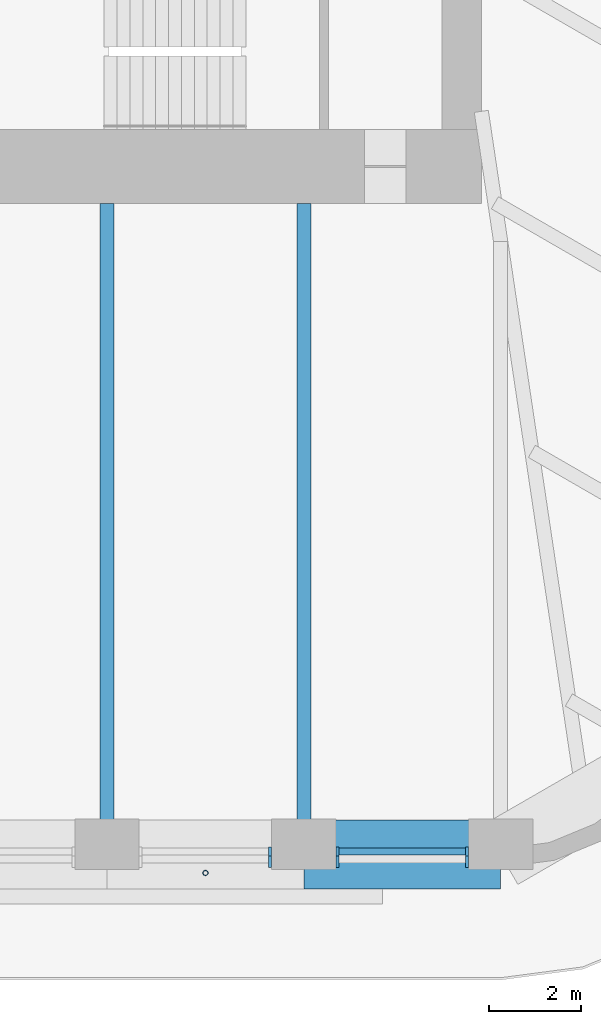
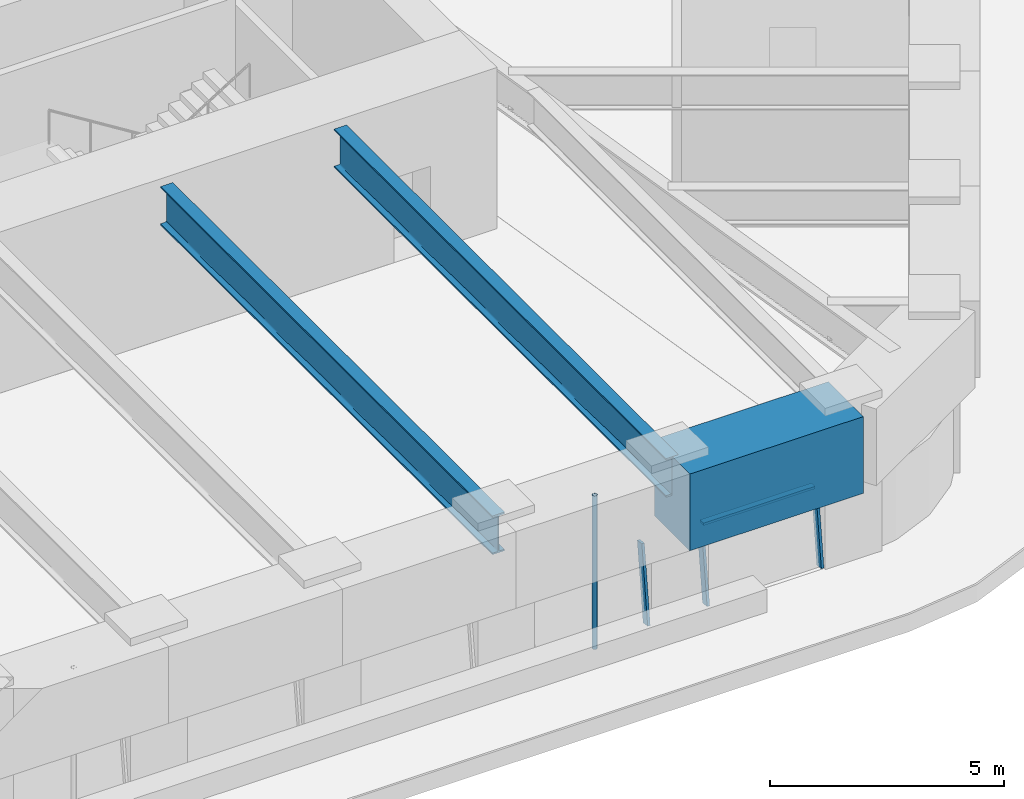
# One storey, part 4 of 18: 5 members, 3 beams, 2 elements without a shape of their own.
"""IFC4 building model written with IfcOpenShell, lengths in metres."""

from ifc_helpers import new_model, si_unit, direction, frame, origin, origin_2d, place, context, subcontext, project, spatial, rectangle, hollow_circle, i_section, extrude, material, material_profile, profile_set, type_object, element, aggregate, save


model = new_model("IFC4")

# Units and contexts
model_context = context("Model", 3, precision=1e-05, world=origin(), true_north=direction((0.0, 1.0)))
body_context = subcontext(model_context, "Body", "Model", "MODEL_VIEW")
ifc_project = project(units=[si_unit("LENGTHUNIT", "METRE"), si_unit("AREAUNIT", "SQUARE_METRE"), si_unit("VOLUMEUNIT", "CUBIC_METRE"), si_unit("PLANEANGLEUNIT", "RADIAN"), si_unit("MASSUNIT", "GRAM", prefix="KILO")], contexts=[model_context])

# Site, building, storey
site_placement = place(None, origin())
site = spatial("IfcSite", under=ifc_project, at=site_placement, CompositionType="ELEMENT")
building_placement = place(site_placement, origin())
building = spatial("IfcBuilding", under=site, at=building_placement, Name="Tarfa Lantern Tower", CompositionType="ELEMENT")
storey_placement = place(building_placement, frame((0.0, 0.0, 319.89990234375)))
storey = spatial("IfcBuildingStorey", under=building, at=storey_placement, Name="L72", CompositionType="ELEMENT", Elevation=319.89990234375)

# Curtain wall, member
ifc_material_1 = material(Name="Aluminium framed curtain wall", Category="aluminium")
curtain_wall_type = type_object("IfcCurtainWallType", Name="CW4 CANTED GLAZING EXECUTIVE ZONE 2000", PredefinedType="USERDEFINED", material=ifc_material_1)
curtain_wall_1_placement = place(storey_placement, origin())
curtain_wall_1 = element("IfcCurtainWall", 1, at=curtain_wall_1_placement, inside=storey, type_object=curtain_wall_type, Name="CW4 S L72", ObjectType="CURTAIN WALL", PredefinedType="USERDEFINED")
ifc_material_2 = material(Name="Aluminium mullion", Category="aluminium")
ifc_material_profile_1 = material_profile(ifc_material_2, rectangle(XDim=0.06494140625, YDim=0.199951171875, at=origin_2d()), Name="AL MULLION 65x200")
ifc_profile_set_1 = profile_set([ifc_material_profile_1], Name="Aluminium mullion")
member_type_1 = type_object("IfcMemberType", Name="CWM1 MULLION 65x200", PredefinedType="MULLION", material=ifc_profile_set_1)
member_1_placement = place(storey_placement, frame((7.83154296875, -26.64990234375, 0.0), z_axis=(0.0, 0.124034734589, 0.992277876714), x_axis=(-1.0, 0.0, 0.0)))
member_1 = element("IfcMember", 2, at=member_1_placement, type_object=member_type_1, Name="CW4 mullion 2", PredefinedType="MULLION", context=body_context, shape_type="SweptSolid", body=[
    extrude(rectangle(XDim=0.06494140625, YDim=0.199951171875, at=origin_2d()), origin(), (0.0, 0.0, 1.0), 2.015625),
])
aggregate(curtain_wall_1, [member_1])

# Curtain wall, members
curtain_wall_2_placement = place(storey_placement, origin())
curtain_wall_2 = element("IfcCurtainWall", 3, at=curtain_wall_2_placement, inside=storey, type_object=curtain_wall_type, Name="CW4 S L72", ObjectType="CURTAIN WALL", PredefinedType="USERDEFINED")
member_2_placement = place(storey_placement, frame((9.296630859375, -26.64990234375, 0.0), z_axis=(0.0, 0.124034734589, 0.992277876714), x_axis=(-1.0, 0.0, 0.0)))
member_2 = element("IfcMember", 4, at=member_2_placement, type_object=member_type_1, Name="CW4 mullion 1", PredefinedType="MULLION", context=body_context, shape_type="SweptSolid", body=[
    extrude(rectangle(XDim=0.06494140625, YDim=0.199951171875, at=origin_2d()), origin(), (0.0, 0.0, 1.0), 2.015625),
])
member_3_placement = place(storey_placement, frame((12.113525390625, -26.64990234375, 0.0), z_axis=(0.0, 0.124034734589, 0.992277876714), x_axis=(-1.0, 0.0, 0.0)))
member_3 = element("IfcMember", 5, at=member_3_placement, type_object=member_type_1, Name="CW4 mullion 2", PredefinedType="MULLION", context=body_context, shape_type="SweptSolid", body=[
    extrude(rectangle(XDim=0.06494140625, YDim=0.199951171875, at=origin_2d()), origin(), (0.0, 0.0, 1.0), 2.015625),
])
ifc_material_3 = material(Name="Aluminium transom", Category="aluminium")
ifc_material_profile_2 = material_profile(ifc_material_3, rectangle(XDim=0.14990234375, YDim=0.06494140625, at=origin_2d()), Name="AL TRANSOM 150x65")
ifc_profile_set_2 = profile_set([ifc_material_profile_2], Name="Aluminium transom")
member_type_2 = type_object("IfcMemberType", Name="CWT1 TRANSOM 150x65", PredefinedType="USERDEFINED", material=ifc_profile_set_2)
member_4_placement = place(storey_placement, frame((9.3291015625, -26.404052734375, 1.967529296875), z_axis=(1.0, 0.0, 0.0), x_axis=(0.0, 1.0, 0.0)))
member_4 = element("IfcMember", 6, at=member_4_placement, type_object=member_type_2, Name="CW4 transom 1.2", ObjectType="TRANSOM", PredefinedType="USERDEFINED", context=body_context, shape_type="SweptSolid", body=[
    extrude(rectangle(XDim=0.14990234375, YDim=0.06494140625, at=origin_2d()), origin(), (0.0, 0.0, 1.0), 2.751953125),
])
aggregate(curtain_wall_2, [member_2, member_3, member_4])

# Beam
ifc_material_4 = material(Name="Concrete C80/95", Category="concrete")
ifc_material_profile_3 = material_profile(ifc_material_4, rectangle(XDim=1.5, YDim=2.0, at=origin_2d()), Name="RC 1500x2000")
ifc_profile_set_3 = profile_set([ifc_material_profile_3], Name="Concrete C80/95")
beam_type_1 = type_object("IfcBeamType", Name="RB3 RC 1500x2000", PredefinedType="BEAM", material=ifc_profile_set_3)
beam_placement = place(storey_placement, frame((8.56396484375, -26.469970703125, 3.0), z_axis=(1.0, 0.0, 0.0), x_axis=(0.0, 1.0, 0.0)))
element("IfcBeam", 7, at=beam_placement, inside=storey, type_object=beam_type_1, Name="Edge beam S5", PredefinedType="BEAM", context=body_context, shape_type="SweptSolid", body=[
    extrude(rectangle(XDim=1.5, YDim=2.0, at=origin_2d()), origin(), (0.0, 0.0, 1.0), 4.281982421875),
])

# Member
ifc_material_5 = material(Name="Steel S355", Category="steel")
ifc_material_profile_4 = material_profile(ifc_material_5, hollow_circle(Radius=0.05712890625, WallThickness=0.00634765625, at=origin_2d()), Name="CHS114.3x6.3")
ifc_profile_set_4 = profile_set([ifc_material_profile_4], Name="Steel S355")
member_type_3 = type_object("IfcMemberType", Name="TR1 GREEN WALL TRELLIS CHS114.3x6.3", PredefinedType="USERDEFINED", material=ifc_profile_set_4)
member_5_placement = place(storey_placement, frame((6.423095703125, -26.8701171875, 0.0), z_axis=(0.0, 0.0, 1.0), x_axis=(1.0, 0.0, 0.0)))
element("IfcMember", 8, at=member_5_placement, inside=storey, type_object=member_type_3, Name="Trellis post S 2", ObjectType="TRELLIS", PredefinedType="USERDEFINED", context=body_context, shape_type="SweptSolid", body=[
    extrude(hollow_circle(Radius=0.05712890625, WallThickness=0.00634765625, at=origin_2d()), origin(), (0.0, 0.0, 1.0), 4.0),
])

# Beams
ifc_material_6 = material(Name="Steel S460M", Category="steel")
ifc_material_profile_5 = material_profile(ifc_material_6, i_section(OverallWidth=0.302001953125, OverallDepth=1.008056640625, WebThickness=0.02099609375, FlangeThickness=0.0400390625, FilletRadius=0.030029296875, at=origin_2d()), Name="UB1016x305x349")
ifc_profile_set_5 = profile_set([ifc_material_profile_5], Name="Steel S460M")
beam_type_2 = type_object("IfcBeamType", Name="UB1016x305x349", PredefinedType="BEAM", material=ifc_profile_set_5)
for number, where, z_axis, x_axis, name in (
    (9, (4.281982421875, -26.469970703125, 3.49609375), (0.0, 1.0, 0.0), (-1.0, 0.0, 0.0), "Floor beam S4"),
    (10, (8.56396484375, -26.469970703125, 3.49609375), (0.0, 1.0, 0.0), (-1.0, 0.0, 0.0), "Floor beam S5"),
):
    element("IfcBeam", number, at=place(storey_placement, frame(where, z_axis=z_axis, x_axis=x_axis)), inside=storey, type_object=beam_type_2, Name=name, PredefinedType="BEAM", context=body_context, shape_type="SweptSolid", body=[
        extrude(i_section(OverallWidth=0.302001953125, OverallDepth=1.008056640625, WebThickness=0.02099609375, FlangeThickness=0.0400390625, FilletRadius=0.030029296875, at=origin_2d()), origin(), (0.0, 0.0, 1.0), 14.169921875),
    ])

save(model, "model.ifc")
